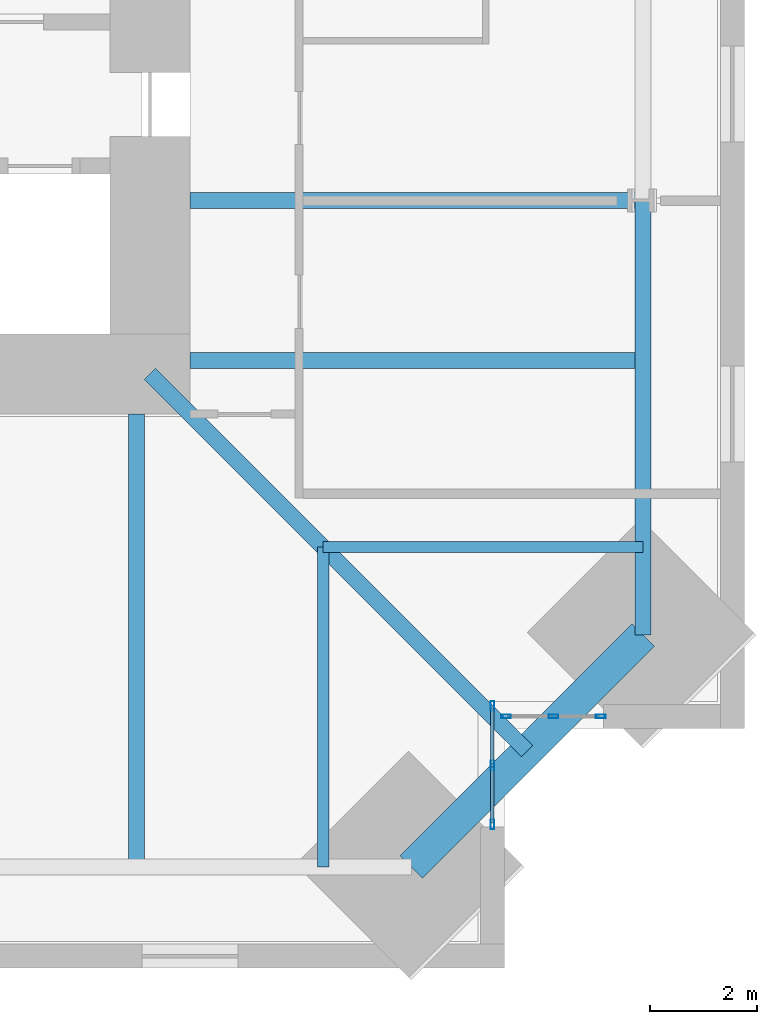
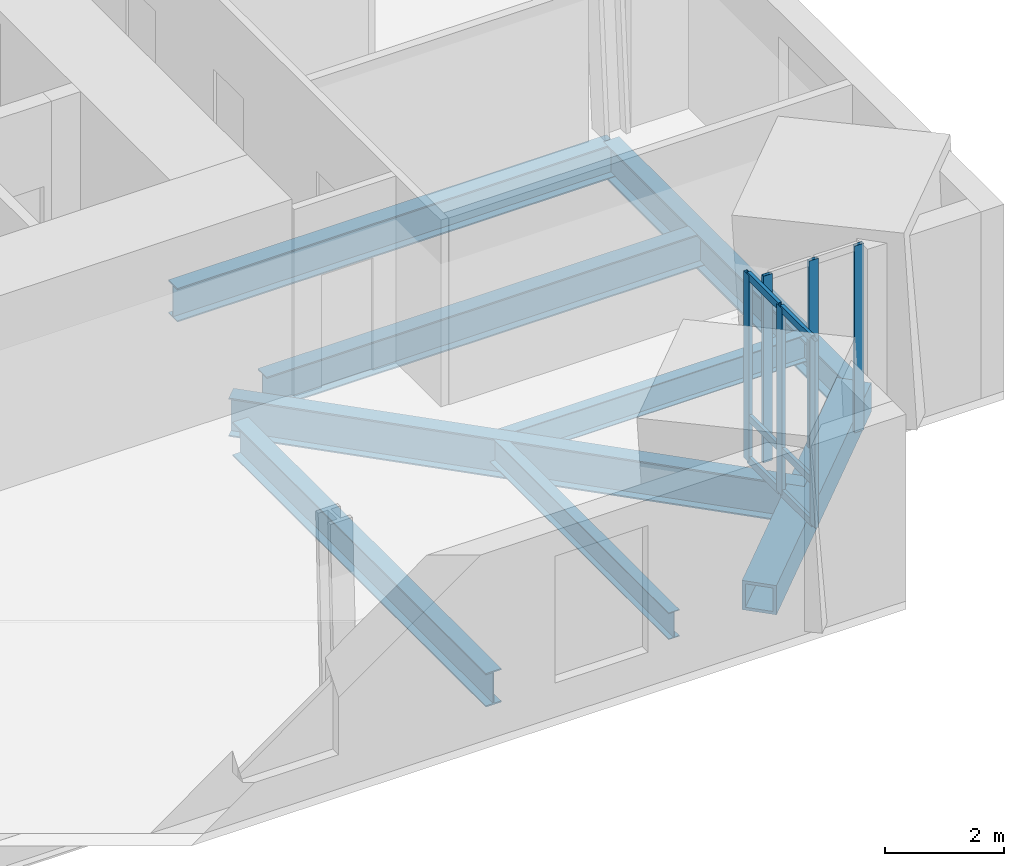
# One storey, part 4 of 17: 12 members, 8 beams, 2 elements without a shape of their own.
"""IFC4 building model written with IfcOpenShell, lengths in metres."""

from ifc_helpers import new_model, si_unit, direction, frame, origin, origin_2d, place, context, subcontext, project, spatial, hollow_rectangle, i_section, extrude, material, material_profile, profile_set, type_object, element, aggregate, save


model = new_model("IFC4")

# Units and contexts
model_context = context("Model", 3, precision=1e-05, world=origin(), true_north=direction((0.0, 1.0)))
body_context = subcontext(model_context, "Body", "Model", "MODEL_VIEW")
ifc_project = project(units=[si_unit("LENGTHUNIT", "METRE"), si_unit("AREAUNIT", "SQUARE_METRE"), si_unit("VOLUMEUNIT", "CUBIC_METRE"), si_unit("PLANEANGLEUNIT", "RADIAN"), si_unit("MASSUNIT", "GRAM", prefix="KILO")], contexts=[model_context])

# Site, building, storey
site_placement = place(None, origin())
site = spatial("IfcSite", under=ifc_project, at=site_placement, CompositionType="ELEMENT")
building_placement = place(site_placement, origin())
building = spatial("IfcBuilding", under=site, at=building_placement, Name="Peilmerk Tower", CompositionType="ELEMENT")
storey_placement = place(building_placement, frame((0.0, 0.0, 257.800048828125)))
storey = spatial("IfcBuildingStorey", under=building, at=storey_placement, Name="L57", CompositionType="ELEMENT", Elevation=257.800048828125)

# Beams
ifc_material_1 = material(Name="Steel S355", Category="steel")
ifc_material_profile_1 = material_profile(ifc_material_1, i_section(OverallWidth=0.2099609375, OverallDepth=0.550048828125, WebThickness=0.010986328125, FlangeThickness=0.01708984375, at=origin_2d()), Name="IPE 550")
ifc_profile_set_1 = profile_set([ifc_material_profile_1], Name="Steel S355")
beam_type_1 = type_object("IfcBeamType", Name="B12 IPE 550 floor beam", PredefinedType="BEAM", material=ifc_profile_set_1)
for number, where, z_axis, x_axis, name in (
    (1, (14.5, -14.5, -0.445068359375), (0.0, -1.0, 0.0), (1.0, 0.0, 0.0), "Floor beam L57"),
    (2, (14.5, -14.5, -0.445068359375), (1.0, 0.0, 0.0), (0.0, 1.0, 0.0), "Floor beam L57"),
):
    element("IfcBeam", number, at=place(storey_placement, frame(where, z_axis=z_axis, x_axis=x_axis)), inside=storey, type_object=beam_type_1, Name=name, PredefinedType="BEAM", context=body_context, shape_type="SweptSolid", body=[
        extrude(i_section(OverallWidth=0.2099609375, OverallDepth=0.550048828125, WebThickness=0.010986328125, FlangeThickness=0.01708984375, at=origin_2d()), origin(), (0.0, 0.0, 1.0), 6.001708984375),
    ])
ifc_material_profile_2 = material_profile(ifc_material_1, i_section(OverallWidth=0.300048828125, OverallDepth=0.68994140625, WebThickness=0.014404296875, FlangeThickness=0.027099609375, at=origin_2d()), Name="HEA 700")
ifc_profile_set_2 = profile_set([ifc_material_profile_2], Name="Steel S355")
beam_type_2 = type_object("IfcBeamType", Name="B16 HEA 700 floor beam", PredefinedType="BEAM", material=ifc_profile_set_2)
for number, where, z_axis, x_axis, name in (
    (3, (12.0, -11.0, -0.51513671875), (1.0, 0.0, 0.0), (0.0, 1.0, 0.0), "Floor beam L57"),
    (4, (12.0, -8.0, -0.51513671875), (1.0, 0.0, 0.0), (0.0, 1.0, 0.0), "Floor beam L57"),
    (5, (11.0, -12.0, -0.51513671875), (0.0, -1.0, 0.0), (1.0, 0.0, 0.0), "Floor beam L57"),
):
    element("IfcBeam", number, at=place(storey_placement, frame(where, z_axis=z_axis, x_axis=x_axis)), inside=storey, type_object=beam_type_2, Name=name, PredefinedType="BEAM", context=body_context, shape_type="SweptSolid", body=[
        extrude(i_section(OverallWidth=0.300048828125, OverallDepth=0.68994140625, WebThickness=0.014404296875, FlangeThickness=0.027099609375, at=origin_2d()), origin(), (0.0, 0.0, 1.0), 8.501708984375),
    ])
ifc_material_2 = material(Name="Steel S460", Category="steel")
ifc_material_profile_3 = material_profile(ifc_material_2, hollow_rectangle(XDim=0.60009765625, YDim=0.60009765625, WallThickness=0.06005859375, at=origin_2d()), Name="BOX 600x600x60")
ifc_profile_set_3 = profile_set([ifc_material_profile_3], Name="Steel S460")
beam_type_3 = type_object("IfcBeamType", Name="B20 BOX 600x600x60 notch beam", PredefinedType="SPANDREL", material=ifc_profile_set_3)
beam_1_placement = place(storey_placement, frame((20.501708984375, -16.151611328125, -0.469970703125), z_axis=(-0.707106781187, -0.707106781187, 0.0), x_axis=(0.707106781187, -0.707106781187, 0.0)))
element("IfcBeam", 6, at=beam_1_placement, inside=storey, type_object=beam_type_3, Name="Notch beam L57", PredefinedType="SPANDREL", context=body_context, shape_type="SweptSolid", body=[
    extrude(hollow_rectangle(XDim=0.60009765625, YDim=0.60009765625, WallThickness=0.06005859375, at=origin_2d()), origin(), (0.0, 0.0, 1.0), 6.15185546875),
])
ifc_material_profile_4 = material_profile(ifc_material_1, i_section(OverallWidth=0.300048828125, OverallDepth=0.7900390625, WebThickness=0.014892578125, FlangeThickness=0.028076171875, at=origin_2d()), Name="HEA 800")
ifc_profile_set_4 = profile_set([ifc_material_profile_4], Name="Steel S355")
beam_type_4 = type_object("IfcBeamType", Name="B3 HEA 800 floor beam", PredefinedType="BEAM", material=ifc_profile_set_4)
beam_2_placement = place(storey_placement, frame((11.25, -11.25, -0.56494140625), z_axis=(0.707106781187, -0.707106781187, 0.0), x_axis=(0.707106781187, 0.707106781187, 0.0)))
element("IfcBeam", 7, at=beam_2_placement, inside=storey, type_object=beam_type_4, Name="Corner girder L57", PredefinedType="BEAM", context=body_context, shape_type="SweptSolid", body=[
    extrude(i_section(OverallWidth=0.300048828125, OverallDepth=0.7900390625, WebThickness=0.014892578125, FlangeThickness=0.028076171875, at=origin_2d()), origin(), (0.0, 0.0, 1.0), 10.0078125),
])
ifc_material_profile_5 = material_profile(ifc_material_1, i_section(OverallWidth=0.303955078125, OverallDepth=0.716064453125, WebThickness=0.02099609375, FlangeThickness=0.0400390625, at=origin_2d()), Name="HEM 700")
ifc_profile_set_5 = profile_set([ifc_material_profile_5], Name="Steel S355")
beam_type_5 = type_object("IfcBeamType", Name="B30 HEM 700 edge beam", PredefinedType="SPANDREL", material=ifc_profile_set_5)
beam_3_placement = place(storey_placement, frame((20.501708984375, -16.151611328125, -0.528076171875), z_axis=(0.0, 1.0, 0.0), x_axis=(-1.0, 0.0, 0.0)))
element("IfcBeam", 8, at=beam_3_placement, inside=storey, type_object=beam_type_5, Name="Edge beam L57", PredefinedType="SPANDREL", context=body_context, shape_type="SweptSolid", body=[
    extrude(i_section(OverallWidth=0.303955078125, OverallDepth=0.716064453125, WebThickness=0.02099609375, FlangeThickness=0.0400390625, at=origin_2d()), origin(), (0.0, 0.0, 1.0), 8.151611328125),
])

# Curtain wall, members
ifc_material_3 = material(Name="Aluminium stick curtain wall", Category="aluminium")
curtain_wall_type = type_object("IfcCurtainWallType", Name="CW4 stick curtain wall, 2250 module", PredefinedType="NOTDEFINED", material=ifc_material_3)
curtain_wall_1_placement = place(storey_placement, origin())
curtain_wall_1 = element("IfcCurtainWall", 9, at=curtain_wall_1_placement, inside=storey, type_object=curtain_wall_type, Name="Curtain wall CW4 SEA L57", PredefinedType="NOTDEFINED")
ifc_material_4 = material(Name="Aluminium EN AW-6063 T6", Category="aluminium")
ifc_material_profile_6 = material_profile(ifc_material_4, hollow_rectangle(XDim=0.06494140625, YDim=0.179931640625, WallThickness=0.0029296875, at=origin_2d()), Name="AL 180x65x3")
ifc_profile_set_6 = profile_set([ifc_material_profile_6], Name="Aluminium EN AW-6063 T6")
member_type_1 = type_object("IfcMemberType", Name="CW4-M AL 180x65x3 mullion", PredefinedType="MULLION", material=ifc_profile_set_6)
member_1_placement = place(storey_placement, frame((17.675048828125, -17.482421875, 0.0), z_axis=(0.0, 0.0, 1.0), x_axis=(1.0, 0.0, 0.0)))
member_1 = element("IfcMember", 10, at=member_1_placement, type_object=member_type_1, Name="CW4 mullion 1", PredefinedType="MULLION", context=body_context, shape_type="SweptSolid", body=[
    extrude(hollow_rectangle(XDim=0.06494140625, YDim=0.179931640625, WallThickness=0.0029296875, at=origin_2d()), origin(), (0.0, 0.0, 1.0), 3.829833984375),
])
member_2_placement = place(storey_placement, frame((17.675048828125, -18.59423828125, 0.0), z_axis=(0.0, 0.0, 1.0), x_axis=(1.0, 0.0, 0.0)))
member_2 = element("IfcMember", 11, at=member_2_placement, type_object=member_type_1, Name="CW4 mullion 2", PredefinedType="MULLION", context=body_context, shape_type="SweptSolid", body=[
    extrude(hollow_rectangle(XDim=0.06494140625, YDim=0.179931640625, WallThickness=0.0029296875, at=origin_2d()), origin(), (0.0, 0.0, 1.0), 3.829833984375),
])
member_3_placement = place(storey_placement, frame((17.675048828125, -19.706298828125, 0.0), z_axis=(0.0, 0.0, 1.0), x_axis=(1.0, 0.0, 0.0)))
member_3 = element("IfcMember", 12, at=member_3_placement, type_object=member_type_1, Name="CW4 mullion 3", PredefinedType="MULLION", context=body_context, shape_type="SweptSolid", body=[
    extrude(hollow_rectangle(XDim=0.06494140625, YDim=0.179931640625, WallThickness=0.0029296875, at=origin_2d()), origin(), (0.0, 0.0, 1.0), 3.829833984375),
])

curtain_wall_2_placement = place(storey_placement, origin())
curtain_wall_2 = element("IfcCurtainWall", 13, at=curtain_wall_2_placement, inside=storey, type_object=curtain_wall_type, Name="Curtain wall CW4 SEB L57", PredefinedType="NOTDEFINED")
member_4_placement = place(storey_placement, frame((17.9326171875, -17.675048828125, 0.0), z_axis=(0.0, 0.0, 1.0), x_axis=(0.0, 1.0, 0.0)))
member_4 = element("IfcMember", 14, at=member_4_placement, type_object=member_type_1, Name="CW4 mullion 1", PredefinedType="MULLION", context=body_context, shape_type="SweptSolid", body=[
    extrude(hollow_rectangle(XDim=0.06494140625, YDim=0.179931640625, WallThickness=0.0029296875, at=origin_2d()), origin(), (0.0, 0.0, 1.0), 3.829833984375),
])
member_5_placement = place(storey_placement, frame((18.8193359375, -17.675048828125, 0.0), z_axis=(0.0, 0.0, 1.0), x_axis=(0.0, 1.0, 0.0)))
member_5 = element("IfcMember", 15, at=member_5_placement, type_object=member_type_1, Name="CW4 mullion 2", PredefinedType="MULLION", context=body_context, shape_type="SweptSolid", body=[
    extrude(hollow_rectangle(XDim=0.06494140625, YDim=0.179931640625, WallThickness=0.0029296875, at=origin_2d()), origin(), (0.0, 0.0, 1.0), 3.829833984375),
])
member_6_placement = place(storey_placement, frame((19.706298828125, -17.675048828125, 0.0), z_axis=(0.0, 0.0, 1.0), x_axis=(0.0, 1.0, 0.0)))
member_6 = element("IfcMember", 16, at=member_6_placement, type_object=member_type_1, Name="CW4 mullion 3", PredefinedType="MULLION", context=body_context, shape_type="SweptSolid", body=[
    extrude(hollow_rectangle(XDim=0.06494140625, YDim=0.179931640625, WallThickness=0.0029296875, at=origin_2d()), origin(), (0.0, 0.0, 1.0), 3.829833984375),
])
aggregate(curtain_wall_2, [member_4, member_5, member_6])

# Member
ifc_material_profile_7 = material_profile(ifc_material_4, hollow_rectangle(XDim=0.06494140625, YDim=0.14990234375, WallThickness=0.0029296875, at=origin_2d()), Name="AL 150x65x3")
ifc_profile_set_7 = profile_set([ifc_material_profile_7], Name="Aluminium EN AW-6063 T6")
member_type_2 = type_object("IfcMemberType", Name="CW4-T AL 150x65x3 transom", PredefinedType="USERDEFINED", material=ifc_profile_set_7)
member_7_placement = place(storey_placement, frame((17.675048828125, -17.514892578125, 0.032470703125), z_axis=(0.0, -1.0, 0.0), x_axis=(1.0, 0.0, 0.0)))
member_7 = element("IfcMember", 17, at=member_7_placement, type_object=member_type_2, Name="CW4 transom 1.1", ObjectType="TRANSOM", PredefinedType="USERDEFINED", context=body_context, shape_type="SweptSolid", body=[
    extrude(hollow_rectangle(XDim=0.06494140625, YDim=0.14990234375, WallThickness=0.0029296875, at=origin_2d()), origin(), (0.0, 0.0, 1.0), 1.046875),
])

member_8_placement = place(storey_placement, frame((17.675048828125, -17.514892578125, 0.89990234375), z_axis=(0.0, -1.0, 0.0), x_axis=(1.0, 0.0, 0.0)))
member_8 = element("IfcMember", 18, at=member_8_placement, type_object=member_type_2, Name="CW4 transom 1.2", ObjectType="TRANSOM", PredefinedType="USERDEFINED", context=body_context, shape_type="SweptSolid", body=[
    extrude(hollow_rectangle(XDim=0.06494140625, YDim=0.14990234375, WallThickness=0.0029296875, at=origin_2d()), origin(), (0.0, 0.0, 1.0), 1.046875),
])

member_9_placement = place(storey_placement, frame((17.675048828125, -17.514892578125, 3.79736328125), z_axis=(0.0, -1.0, 0.0), x_axis=(1.0, 0.0, 0.0)))
member_9 = element("IfcMember", 19, at=member_9_placement, type_object=member_type_2, Name="CW4 transom 1.3", ObjectType="TRANSOM", PredefinedType="USERDEFINED", context=body_context, shape_type="SweptSolid", body=[
    extrude(hollow_rectangle(XDim=0.06494140625, YDim=0.14990234375, WallThickness=0.0029296875, at=origin_2d()), origin(), (0.0, 0.0, 1.0), 1.046875),
])

member_10_placement = place(storey_placement, frame((17.675048828125, -18.626953125, 0.032470703125), z_axis=(0.0, -1.0, 0.0), x_axis=(1.0, 0.0, 0.0)))
member_10 = element("IfcMember", 20, at=member_10_placement, type_object=member_type_2, Name="CW4 transom 2.1", ObjectType="TRANSOM", PredefinedType="USERDEFINED", context=body_context, shape_type="SweptSolid", body=[
    extrude(hollow_rectangle(XDim=0.06494140625, YDim=0.14990234375, WallThickness=0.0029296875, at=origin_2d()), origin(), (0.0, 0.0, 1.0), 1.046630859375),
])

member_11_placement = place(storey_placement, frame((17.675048828125, -18.626953125, 0.89990234375), z_axis=(0.0, -1.0, 0.0), x_axis=(1.0, 0.0, 0.0)))
member_11 = element("IfcMember", 21, at=member_11_placement, type_object=member_type_2, Name="CW4 transom 2.2", ObjectType="TRANSOM", PredefinedType="USERDEFINED", context=body_context, shape_type="SweptSolid", body=[
    extrude(hollow_rectangle(XDim=0.06494140625, YDim=0.14990234375, WallThickness=0.0029296875, at=origin_2d()), origin(), (0.0, 0.0, 1.0), 1.046630859375),
])

member_12_placement = place(storey_placement, frame((17.675048828125, -18.626953125, 3.79736328125), z_axis=(0.0, -1.0, 0.0), x_axis=(1.0, 0.0, 0.0)))
member_12 = element("IfcMember", 22, at=member_12_placement, type_object=member_type_2, Name="CW4 transom 2.3", ObjectType="TRANSOM", PredefinedType="USERDEFINED", context=body_context, shape_type="SweptSolid", body=[
    extrude(hollow_rectangle(XDim=0.06494140625, YDim=0.14990234375, WallThickness=0.0029296875, at=origin_2d()), origin(), (0.0, 0.0, 1.0), 1.046630859375),
])

aggregate(curtain_wall_1, [member_1, member_2, member_3, member_7, member_8, member_9, member_10, member_11, member_12])

save(model, "model.ifc")
